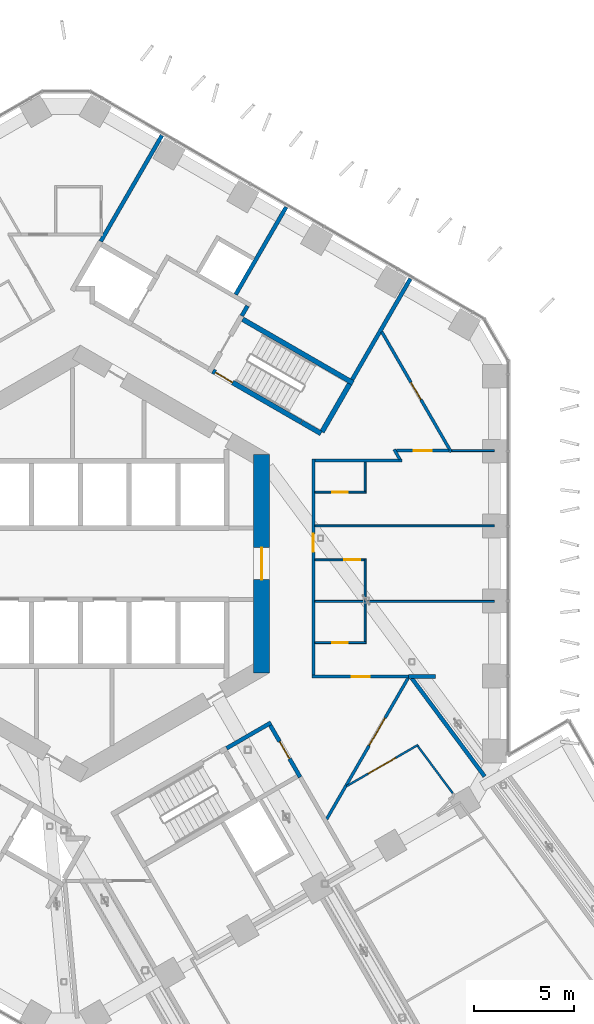
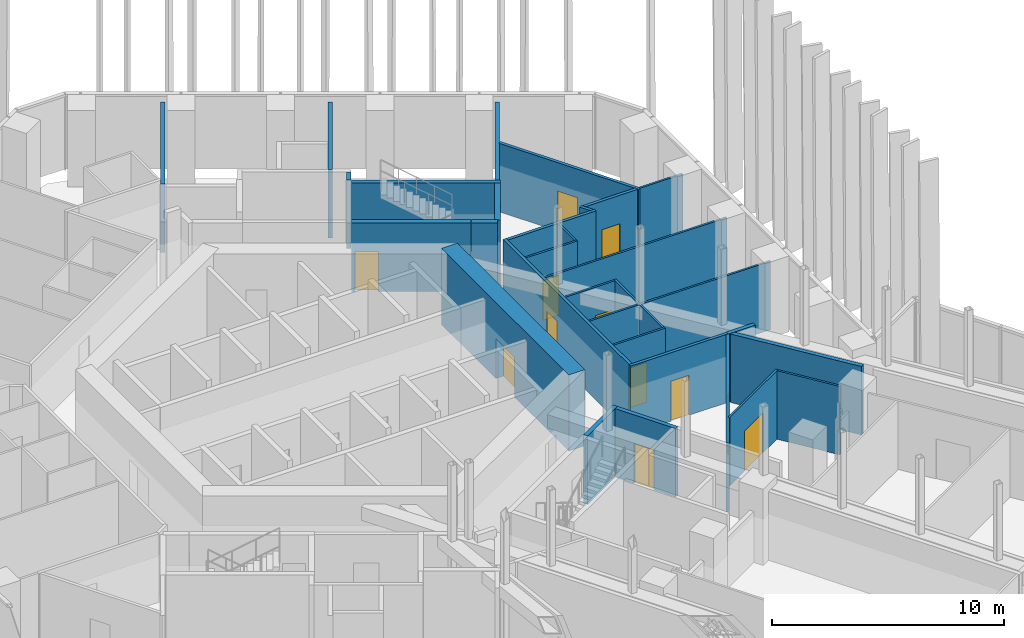
# One storey, part 23 of 29: 30 walls, 12 doors, 12 openings.
"""IFC4 building model written with IfcOpenShell, lengths in metres."""

from ifc_helpers import new_model, si_unit, direction, frame, frame_2d, origin, place, context, subcontext, project, spatial, rectangle, extrude, material, layer, layer_set, type_object, element, fill, save


model = new_model("IFC4")

# Units and contexts
model_context = context("Model", 3, precision=1e-05, world=origin(), true_north=direction((0.0, 1.0)))
body_context = subcontext(model_context, "Body", "Model", "MODEL_VIEW")
ifc_project = project(units=[si_unit("LENGTHUNIT", "METRE"), si_unit("AREAUNIT", "SQUARE_METRE"), si_unit("VOLUMEUNIT", "CUBIC_METRE"), si_unit("PLANEANGLEUNIT", "RADIAN"), si_unit("MASSUNIT", "GRAM", prefix="KILO")], contexts=[model_context])

# Site, building, storey
site_placement = place(None, origin())
site = spatial("IfcSite", under=ifc_project, at=site_placement, CompositionType="ELEMENT")
building_placement = place(site_placement, origin())
building = spatial("IfcBuilding", under=site, at=building_placement, Name="Ayvan Gate Tower", CompositionType="ELEMENT")
storey_placement = place(building_placement, frame((0.0, 0.0, 66.300048828125)))
storey = spatial("IfcBuildingStorey", under=building, at=storey_placement, Name="L17", CompositionType="ELEMENT", Elevation=66.300048828125)

# Wall, opening, door
ifc_material_1 = material(Name="Concrete C70/85", Category="concrete")
ifc_layer_1 = layer(ifc_material_1, 0.800048828125)
ifc_layer_set_1 = layer_set([ifc_layer_1], Name="Concrete C70/85")
wall_type_1 = type_object("IfcWallType", Name="Core wall 800 C70/85", PredefinedType="SHEAR", material=ifc_layer_set_1)
wall_1_placement = place(storey_placement, frame((9.10009765625, -5.48486328125, 0.0), z_axis=(0.0, 0.0, 1.0), x_axis=(0.0, 1.0, 0.0)))
wall_1 = element("IfcWall", 1, at=wall_1_placement, inside=storey, type_object=wall_type_1, Name="CORE-L17-0", PredefinedType="SHEAR", context=body_context, shape_type="SweptSolid", body=[
    extrude(rectangle(XDim=10.9697265625, YDim=0.800048828125, at=frame_2d((5.48486328125, 0.0))), origin(), (0.0, 0.0, 1.0), 4.0),
])
opening_1_placement = place(wall_1_placement, frame((4.684814453125, 0.0, 0.0)))
opening_1 = element("IfcOpeningElement", 2, at=opening_1_placement, cuts=wall_1, Name="Opening L17-D57", PredefinedType="OPENING", context=body_context, shape_type="SweptSolid", body=[
    extrude(rectangle(XDim=1.60009765625, YDim=2.10009765625, at=frame_2d((0.800048828125, 1.050048828125))), frame((0.0, 0.409912109375, 0.0), z_axis=(0.0, -1.0, 0.0), x_axis=(1.0, 0.0, 0.0)), (0.0, 0.0, 1.0), 0.820068359375),
])
ifc_material_2 = material(Name="Timber door leaf", Category="wood")
door_type_1 = type_object("IfcDoorType", Name="DT-1600", OperationType="NOTDEFINED", PredefinedType="DOOR", material=ifc_material_2)
door_1_placement = place(opening_1_placement, origin())
door_1 = element("IfcDoor", 3, at=door_1_placement, inside=storey, type_object=door_type_1, Name="CD-L17-57", OperationType="SINGLE_SWING_RIGHT", OverallHeight=2.10009765625, OverallWidth=1.60009765625, PredefinedType="DOOR", context=body_context, shape_type="SweptSolid", body=[
    extrude(rectangle(XDim=1.60009765625, YDim=2.10009765625, at=frame_2d((0.800048828125, 1.050048828125))), frame((0.0, 0.02490234375, 0.0), z_axis=(0.0, -1.0, 0.0), x_axis=(1.0, 0.0, 0.0)), (0.0, 0.0, 1.0), 0.050048828125),
])
fill(opening_1, door_1)

ifc_material_3 = material(Name="Plasterboard on steel stud", Category="steel")
ifc_layer_2 = layer(ifc_material_3, 0.14990234375)
ifc_layer_set_2 = layer_set([ifc_layer_2], Name="Plasterboard on steel stud")
wall_type_2 = type_object("IfcWallType", Name="WT-CORR-150", PredefinedType="PARTITIONING", material=ifc_layer_set_2)
wall_2_placement = place(storey_placement, frame((11.625, -5.66748046875, 0.0), z_axis=(0.0, 0.0, 1.0), x_axis=(1.0, 0.0, 0.0)))
wall_2 = element("IfcWall", 4, at=wall_2_placement, inside=storey, type_object=wall_type_2, Name="IW-L17-120", PredefinedType="PARTITIONING", context=body_context, shape_type="SweptSolid", body=[
    extrude(rectangle(XDim=4.951904296875, YDim=0.14990234375, at=frame_2d((2.47607421875, 0.0))), origin(), (0.0, 0.0, 1.0), 3.599853515625),
])
opening_2_placement = place(wall_2_placement, frame((2.008544921875, 0.0, 0.0)))
opening_2 = element("IfcOpeningElement", 5, at=opening_2_placement, cuts=wall_2, Name="Opening L17-D17", PredefinedType="OPENING", context=body_context, shape_type="SweptSolid", body=[
    extrude(rectangle(XDim=0.89990234375, YDim=2.10009765625, at=frame_2d((0.449951171875, 1.050048828125))), frame((0.0, 0.0849609375, 0.0), z_axis=(0.0, -1.0, 0.0), x_axis=(1.0, 0.0, 0.0)), (0.0, 0.0, 1.0), 0.169921875),
])
door_type_2 = type_object("IfcDoorType", Name="DT-900", OperationType="NOTDEFINED", PredefinedType="DOOR", material=ifc_material_2)
door_2_placement = place(opening_2_placement, origin())
door_2 = element("IfcDoor", 6, at=door_2_placement, inside=storey, type_object=door_type_2, Name="ID-L17-017", OperationType="SINGLE_SWING_RIGHT", OverallHeight=2.10009765625, OverallWidth=0.89990234375, PredefinedType="DOOR", context=body_context, shape_type="SweptSolid", body=[
    extrude(rectangle(XDim=0.89990234375, YDim=2.10009765625, at=frame_2d((0.449951171875, 1.050048828125))), frame((0.0, 0.02490234375, 0.0), z_axis=(0.0, -1.0, 0.0), x_axis=(1.0, 0.0, 0.0)), (0.0, 0.0, 1.0), 0.050048828125),
])
fill(opening_2, door_2)

wall_3_placement = place(storey_placement, frame((11.699951171875, -5.59228515625, 0.0), z_axis=(0.0, 0.0, 1.0), x_axis=(0.0, 1.0, 0.0)))
wall_3 = element("IfcWall", 7, at=wall_3_placement, inside=storey, type_object=wall_type_2, Name="IW-L17-121", PredefinedType="PARTITIONING", context=body_context, shape_type="SweptSolid", body=[
    extrude(rectangle(XDim=10.834716796875, YDim=0.14990234375, at=frame_2d((5.41748046875, 0.0))), origin(), (0.0, 0.0, 1.0), 3.599853515625),
])
opening_3_placement = place(wall_3_placement, frame((6.181396484375, 0.0, 0.0)))
opening_3 = element("IfcOpeningElement", 8, at=opening_3_placement, cuts=wall_3, Name="Opening L17-D19", PredefinedType="OPENING", context=body_context, shape_type="SweptSolid", body=[
    extrude(rectangle(XDim=0.89990234375, YDim=2.10009765625, at=frame_2d((0.449951171875, 1.050048828125))), frame((0.0, 0.0849609375, 0.0), z_axis=(0.0, -1.0, 0.0), x_axis=(1.0, 0.0, 0.0)), (0.0, 0.0, 1.0), 0.169921875),
])
door_3_placement = place(opening_3_placement, origin())
door_3 = element("IfcDoor", 9, at=door_3_placement, inside=storey, type_object=door_type_2, Name="ID-L17-019", OperationType="SINGLE_SWING_RIGHT", OverallHeight=2.10009765625, OverallWidth=0.89990234375, PredefinedType="DOOR", context=body_context, shape_type="SweptSolid", body=[
    extrude(rectangle(XDim=0.89990234375, YDim=2.10009765625, at=frame_2d((0.449951171875, 1.050048828125))), frame((0.0, 0.02490234375, 0.0), z_axis=(0.0, -1.0, 0.0), x_axis=(1.0, 0.0, 0.0)), (0.0, 0.0, 1.0), 0.050048828125),
])
fill(opening_3, door_3)

wall_4_placement = place(storey_placement, frame((12.36181640625, -12.838134765625, 0.0), z_axis=(0.0, 0.0, 1.0), x_axis=(0.500004918852, 0.866022563865, 0.0)))
wall_4 = element("IfcWall", 10, at=wall_4_placement, inside=storey, type_object=wall_type_2, Name="IW-L17-128", PredefinedType="PARTITIONING", context=body_context, shape_type="SweptSolid", body=[
    extrude(rectangle(XDim=8.205078125, YDim=0.14990234375, at=frame_2d((4.1025390625, 0.0))), origin(), (0.0, 0.0, 1.0), 3.599853515625),
])
opening_4_placement = place(wall_4_placement, frame((4.272705078125, 0.0, 0.0)))
opening_4 = element("IfcOpeningElement", 11, at=opening_4_placement, cuts=wall_4, Name="Opening L17-D46", PredefinedType="OPENING", context=body_context, shape_type="SweptSolid", body=[
    extrude(rectangle(XDim=1.60009765625, YDim=2.10009765625, at=frame_2d((0.800048828125, 1.050048828125))), frame((0.0, 0.0849609375, 0.0), z_axis=(0.0, -1.0, 0.0), x_axis=(1.0, 0.0, 0.0)), (0.0, 0.0, 1.0), 0.169921875),
])
door_4_placement = place(opening_4_placement, origin())
door_4 = element("IfcDoor", 12, at=door_4_placement, inside=storey, type_object=door_type_1, Name="ID-L17-046", OperationType="SINGLE_SWING_LEFT", OverallHeight=2.10009765625, OverallWidth=1.60009765625, PredefinedType="DOOR", context=body_context, shape_type="SweptSolid", body=[
    extrude(rectangle(XDim=1.60009765625, YDim=2.10009765625, at=frame_2d((0.800048828125, 1.050048828125))), frame((0.0, 0.02490234375, 0.0), z_axis=(0.0, -1.0, 0.0), x_axis=(1.0, 0.0, 0.0)), (0.0, 0.0, 1.0), 0.050048828125),
])
fill(opening_4, door_4)

# Wall
wall_5_placement = place(storey_placement, frame((11.77490234375, 5.16748046875, 0.0), z_axis=(0.0, 0.0, 1.0), x_axis=(1.0, 0.0, 0.0)))
element("IfcWall", 13, at=wall_5_placement, inside=storey, type_object=wall_type_2, Name="IW-L17-133", PredefinedType="PARTITIONING", context=body_context, shape_type="SweptSolid", body=[
    extrude(rectangle(XDim=4.382080078125, YDim=0.14990234375, at=frame_2d((2.19091796875, 0.0))), origin(), (0.0, 0.0, 1.0), 3.599853515625),
])

# Wall, opening, door
wall_6_placement = place(storey_placement, frame((15.133056640625, 11.63818359375, 0.0), z_axis=(0.0, 0.0, 1.0), x_axis=(0.500004447669, -0.866022835906, 0.0)))
wall_6 = element("IfcWall", 14, at=wall_6_placement, inside=storey, type_object=wall_type_2, Name="IW-L17-134", PredefinedType="PARTITIONING", context=body_context, shape_type="SweptSolid", body=[
    extrude(rectangle(XDim=6.9697265625, YDim=0.14990234375, at=frame_2d((3.48486328125, 0.0))), origin(), (0.0, 0.0, 1.0), 3.599853515625),
])
opening_5_placement = place(wall_6_placement, frame((2.929931640625, 0.0, 0.0)))
opening_5 = element("IfcOpeningElement", 15, at=opening_5_placement, cuts=wall_6, Name="Opening L17-D23", PredefinedType="OPENING", context=body_context, shape_type="SweptSolid", body=[
    extrude(rectangle(XDim=1.0, YDim=2.10009765625, at=frame_2d((0.5, 1.050048828125))), frame((0.0, 0.0849609375, 0.0), z_axis=(0.0, -1.0, 0.0), x_axis=(1.0, 0.0, 0.0)), (0.0, 0.0, 1.0), 0.169921875),
])
door_type_3 = type_object("IfcDoorType", Name="DT-1000", OperationType="NOTDEFINED", PredefinedType="DOOR", material=ifc_material_2)
door_5_placement = place(opening_5_placement, origin())
door_5 = element("IfcDoor", 16, at=door_5_placement, inside=storey, type_object=door_type_3, Name="ID-L17-023", OperationType="SINGLE_SWING_RIGHT", OverallHeight=2.10009765625, OverallWidth=1.0, PredefinedType="DOOR", context=body_context, shape_type="SweptSolid", body=[
    extrude(rectangle(XDim=1.0, YDim=2.10009765625, at=frame_2d((0.5, 1.050048828125))), frame((0.0, 0.02490234375, 0.0), z_axis=(0.0, -1.0, 0.0), x_axis=(1.0, 0.0, 0.0)), (0.0, 0.0, 1.0), 0.050048828125),
])
fill(opening_5, door_5)

# Wall
wall_7_placement = place(storey_placement, frame((15.755615234375, 5.732421875, 0.0), z_axis=(0.0, 0.0, 1.0), x_axis=(0.500186019832, -0.865917978543, 0.0)))
element("IfcWall", 17, at=wall_7_placement, inside=storey, type_object=wall_type_2, Name="IW-L17-136", PredefinedType="PARTITIONING", context=body_context, shape_type="SweptSolid", body=[
    extrude(rectangle(XDim=0.577392578125, YDim=0.14990234375, at=frame_2d((0.28857421875, 0.0))), origin(), (0.0, 0.0, 1.0), 3.599853515625),
])

# Wall, opening, door
wall_8_placement = place(storey_placement, frame((18.50537109375, 5.66748046875, 0.0), z_axis=(0.0, 0.0, 1.0), x_axis=(-1.0, 0.0, 0.0)))
wall_8 = element("IfcWall", 18, at=wall_8_placement, inside=storey, type_object=wall_type_2, Name="IW-L17-144", PredefinedType="PARTITIONING", context=body_context, shape_type="SweptSolid", body=[
    extrude(rectangle(XDim=2.63720703125, YDim=0.14990234375, at=frame_2d((1.318603515625, 0.0))), origin(), (0.0, 0.0, 1.0), 3.599853515625),
])
opening_6_placement = place(wall_8_placement, frame((0.86865234375, 0.0, 0.0)))
opening_6 = element("IfcOpeningElement", 19, at=opening_6_placement, cuts=wall_8, Name="Opening L17-D21", PredefinedType="OPENING", context=body_context, shape_type="SweptSolid", body=[
    extrude(rectangle(XDim=0.89990234375, YDim=2.10009765625, at=frame_2d((0.449951171875, 1.050048828125))), frame((0.0, 0.0849609375, 0.0), z_axis=(0.0, -1.0, 0.0), x_axis=(1.0, 0.0, 0.0)), (0.0, 0.0, 1.0), 0.169921875),
])
door_6_placement = place(opening_6_placement, origin())
door_6 = element("IfcDoor", 20, at=door_6_placement, inside=storey, type_object=door_type_2, Name="ID-L17-021", OperationType="SINGLE_SWING_RIGHT", OverallHeight=2.10009765625, OverallWidth=0.89990234375, PredefinedType="DOOR", context=body_context, shape_type="SweptSolid", body=[
    extrude(rectangle(XDim=0.89990234375, YDim=2.10009765625, at=frame_2d((0.449951171875, 1.050048828125))), frame((0.0, 0.02490234375, 0.0), z_axis=(0.0, -1.0, 0.0), x_axis=(1.0, 0.0, 0.0)), (0.0, 0.0, 1.0), 0.050048828125),
])
fill(opening_6, door_6)

ifc_layer_3 = layer(ifc_material_3, 0.10009765625)
ifc_layer_set_3 = layer_set([ifc_layer_3], Name="Plasterboard on steel stud")
wall_type_3 = type_object("IfcWallType", Name="WT-PART-100", PredefinedType="PARTITIONING", material=ifc_layer_set_3)
wall_9_placement = place(storey_placement, frame((11.77490234375, -3.96728515625, 0.0), z_axis=(0.0, 0.0, 1.0), x_axis=(1.0, 0.0, 0.0)))
wall_9 = element("IfcWall", 21, at=wall_9_placement, inside=storey, type_object=wall_type_3, Name="IW-L17-122", PredefinedType="PARTITIONING", context=body_context, shape_type="SweptSolid", body=[
    extrude(rectangle(XDim=2.5751953125, YDim=0.10009765625, at=frame_2d((1.28759765625, 0.0))), origin(), (0.0, 0.0, 1.0), 3.599853515625),
])
opening_7_placement = place(wall_9_placement, frame((0.862548828125, 0.0, 0.0)))
opening_7 = element("IfcOpeningElement", 22, at=opening_7_placement, cuts=wall_9, Name="Opening L17-D18", PredefinedType="OPENING", context=body_context, shape_type="SweptSolid", body=[
    extrude(rectangle(XDim=0.800048828125, YDim=2.10009765625, at=frame_2d((0.39990234375, 1.050048828125))), frame((0.0, 0.06005859375, 0.0), z_axis=(0.0, -1.0, 0.0), x_axis=(1.0, 0.0, 0.0)), (0.0, 0.0, 1.0), 0.1201171875),
])
door_type_4 = type_object("IfcDoorType", Name="DT-800", OperationType="NOTDEFINED", PredefinedType="DOOR", material=ifc_material_2)
door_7_placement = place(opening_7_placement, origin())
door_7 = element("IfcDoor", 23, at=door_7_placement, inside=storey, type_object=door_type_4, Name="ID-L17-018", OperationType="SINGLE_SWING_LEFT", OverallHeight=2.10009765625, OverallWidth=0.800048828125, PredefinedType="DOOR", context=body_context, shape_type="SweptSolid", body=[
    extrude(rectangle(XDim=0.800048828125, YDim=2.10009765625, at=frame_2d((0.39990234375, 1.050048828125))), frame((0.0, 0.02490234375, 0.0), z_axis=(0.0, -1.0, 0.0), x_axis=(1.0, 0.0, 0.0)), (0.0, 0.0, 1.0), 0.050048828125),
])
fill(opening_7, door_7)

# Walls
for number, where, z_axis, x_axis, name in (
    (24, (11.77490234375, -1.88916015625, 0.0), (0.0, 0.0, 1.0), (1.0, 0.0, 0.0), "IW-L17-123"),
    (25, (11.77490234375, 1.88916015625, 0.0), (0.0, 0.0, 1.0), (1.0, 0.0, 0.0), "IW-L17-124"),
):
    element("IfcWall", number, at=place(storey_placement, frame(where, z_axis=z_axis, x_axis=x_axis)), inside=storey, type_object=wall_type_3, Name=name, PredefinedType="PARTITIONING", context=body_context, shape_type="SweptSolid", body=[
        extrude(rectangle(XDim=9.009765625, YDim=0.10009765625, at=frame_2d((4.5048828125, 0.0))), origin(), (0.0, 0.0, 1.0), 3.599853515625),
    ])

# Wall, opening, door
wall_10_placement = place(storey_placement, frame((11.77490234375, 3.589111328125, 0.0), z_axis=(0.0, 0.0, 1.0), x_axis=(1.0, 0.0, 0.0)))
wall_10 = element("IfcWall", 26, at=wall_10_placement, inside=storey, type_object=wall_type_3, Name="IW-L17-125", PredefinedType="PARTITIONING", context=body_context, shape_type="SweptSolid", body=[
    extrude(rectangle(XDim=2.5751953125, YDim=0.10009765625, at=frame_2d((1.28759765625, 0.0))), origin(), (0.0, 0.0, 1.0), 3.599853515625),
])
opening_8_placement = place(wall_10_placement, frame((0.862548828125, 0.0, 0.0)))
opening_8 = element("IfcOpeningElement", 27, at=opening_8_placement, cuts=wall_10, Name="Opening L17-D22", PredefinedType="OPENING", context=body_context, shape_type="SweptSolid", body=[
    extrude(rectangle(XDim=0.800048828125, YDim=2.10009765625, at=frame_2d((0.39990234375, 1.050048828125))), frame((0.0, 0.06005859375, 0.0), z_axis=(0.0, -1.0, 0.0), x_axis=(1.0, 0.0, 0.0)), (0.0, 0.0, 1.0), 0.1201171875),
])
door_8_placement = place(opening_8_placement, origin())
door_8 = element("IfcDoor", 28, at=door_8_placement, inside=storey, type_object=door_type_4, Name="ID-L17-022", OperationType="SINGLE_SWING_LEFT", OverallHeight=2.10009765625, OverallWidth=0.800048828125, PredefinedType="DOOR", context=body_context, shape_type="SweptSolid", body=[
    extrude(rectangle(XDim=0.800048828125, YDim=2.10009765625, at=frame_2d((0.39990234375, 1.050048828125))), frame((0.0, 0.02490234375, 0.0), z_axis=(0.0, -1.0, 0.0), x_axis=(1.0, 0.0, 0.0)), (0.0, 0.0, 1.0), 0.050048828125),
])
fill(opening_8, door_8)

# Wall
wall_11_placement = place(storey_placement, frame((14.300048828125, -3.91748046875, 0.0), z_axis=(0.0, 0.0, 1.0), x_axis=(0.0, 1.0, 0.0)))
element("IfcWall", 29, at=wall_11_placement, inside=storey, type_object=wall_type_3, Name="IW-L17-130", PredefinedType="PARTITIONING", context=body_context, shape_type="SweptSolid", body=[
    extrude(rectangle(XDim=4.156494140625, YDim=0.10009765625, at=frame_2d((2.078125, 0.0))), origin(), (0.0, 0.0, 1.0), 3.599853515625),
])

# Wall, opening, door
wall_12_placement = place(storey_placement, frame((14.25, 0.189208984375, 0.0), z_axis=(0.0, 0.0, 1.0), x_axis=(-1.0, 0.0, 0.0)))
wall_12 = element("IfcWall", 30, at=wall_12_placement, inside=storey, type_object=wall_type_3, Name="IW-L17-131", PredefinedType="PARTITIONING", context=body_context, shape_type="SweptSolid", body=[
    extrude(rectangle(XDim=2.47509765625, YDim=0.10009765625, at=frame_2d((1.237548828125, 0.0))), origin(), (0.0, 0.0, 1.0), 3.599853515625),
])
opening_9_placement = place(wall_12_placement, frame((0.1875, 0.0, 0.0)))
opening_9 = element("IfcOpeningElement", 31, at=opening_9_placement, cuts=wall_12, Name="Opening L17-D20", PredefinedType="OPENING", context=body_context, shape_type="SweptSolid", body=[
    extrude(rectangle(XDim=0.800048828125, YDim=2.10009765625, at=frame_2d((0.39990234375, 1.050048828125))), frame((0.0, 0.06005859375, 0.0), z_axis=(0.0, -1.0, 0.0), x_axis=(1.0, 0.0, 0.0)), (0.0, 0.0, 1.0), 0.1201171875),
])
door_9_placement = place(opening_9_placement, origin())
door_9 = element("IfcDoor", 32, at=door_9_placement, inside=storey, type_object=door_type_4, Name="ID-L17-020", OperationType="SINGLE_SWING_LEFT", OverallHeight=2.10009765625, OverallWidth=0.800048828125, PredefinedType="DOOR", context=body_context, shape_type="SweptSolid", body=[
    extrude(rectangle(XDim=0.800048828125, YDim=2.10009765625, at=frame_2d((0.39990234375, 1.050048828125))), frame((0.0, 0.02490234375, 0.0), z_axis=(0.0, -1.0, 0.0), x_axis=(1.0, 0.0, 0.0)), (0.0, 0.0, 1.0), 0.050048828125),
])
fill(opening_9, door_9)

# Wall
wall_13_placement = place(storey_placement, frame((14.300048828125, 3.63916015625, 0.0), z_axis=(0.0, 0.0, 1.0), x_axis=(0.0, 1.0, 0.0)))
element("IfcWall", 33, at=wall_13_placement, inside=storey, type_object=wall_type_3, Name="IW-L17-132", PredefinedType="PARTITIONING", context=body_context, shape_type="SweptSolid", body=[
    extrude(rectangle(XDim=1.453125, YDim=0.10009765625, at=frame_2d((0.7265625, 0.0))), origin(), (0.0, 0.0, 1.0), 3.599853515625),
])

# Wall, opening, door
wall_14_placement = place(storey_placement, frame((16.95751953125, -9.099365234375, 0.0), z_axis=(0.0, 0.0, 1.0), x_axis=(-0.866042429026, -0.499970510257, 0.0)))
wall_14 = element("IfcWall", 34, at=wall_14_placement, inside=storey, type_object=wall_type_3, Name="IW-L17-138", PredefinedType="PARTITIONING", context=body_context, shape_type="SweptSolid", body=[
    extrude(rectangle(XDim=4.146240234375, YDim=0.10009765625, at=frame_2d((2.0732421875, 0.0))), origin(), (0.0, 0.0, 1.0), 3.599853515625),
])
opening_10_placement = place(wall_14_placement, frame((1.298095703125, 0.0, 0.0)))
opening_10 = element("IfcOpeningElement", 35, at=opening_10_placement, cuts=wall_14, Name="Opening L17-D47", PredefinedType="OPENING", context=body_context, shape_type="SweptSolid", body=[
    extrude(rectangle(XDim=1.60009765625, YDim=2.10009765625, at=frame_2d((0.800048828125, 1.050048828125))), frame((0.0, 0.06005859375, 0.0), z_axis=(0.0, -1.0, 0.0), x_axis=(1.0, 0.0, 0.0)), (0.0, 0.0, 1.0), 0.1201171875),
])
door_10_placement = place(opening_10_placement, origin())
door_10 = element("IfcDoor", 36, at=door_10_placement, inside=storey, type_object=door_type_1, Name="ID-L17-047", OperationType="SINGLE_SWING_RIGHT", OverallHeight=2.10009765625, OverallWidth=1.60009765625, PredefinedType="DOOR", context=body_context, shape_type="SweptSolid", body=[
    extrude(rectangle(XDim=1.60009765625, YDim=2.10009765625, at=frame_2d((0.800048828125, 1.050048828125))), frame((0.0, 0.02490234375, 0.0), z_axis=(0.0, -1.0, 0.0), x_axis=(1.0, 0.0, 0.0)), (0.0, 0.0, 1.0), 0.050048828125),
])
fill(opening_10, door_10)

# Walls
wall_15_placement = place(storey_placement, frame((18.6552734375, 5.66748046875, 0.0), z_axis=(0.0, 0.0, 1.0), x_axis=(1.0, 0.0, 0.0)))
element("IfcWall", 37, at=wall_15_placement, inside=storey, type_object=wall_type_3, Name="IW-L17-143", PredefinedType="PARTITIONING", context=body_context, shape_type="SweptSolid", body=[
    extrude(rectangle(XDim=2.12939453125, YDim=0.10009765625, at=frame_2d((1.064697265625, 0.0))), origin(), (0.0, 0.0, 1.0), 3.599853515625),
])
wall_16_placement = place(storey_placement, frame((18.708740234375, -11.5439453125, 0.0), z_axis=(0.0, 0.0, 1.0), x_axis=(-0.595692593252, 0.803212508832, 0.0)))
element("IfcWall", 38, at=wall_16_placement, inside=storey, type_object=wall_type_3, Name="IW-L17-146", PredefinedType="PARTITIONING", context=body_context, shape_type="SweptSolid", body=[
    extrude(rectangle(XDim=2.96240234375, YDim=0.10009765625, at=frame_2d((1.481201171875, 0.0))), origin(), (0.0, 0.0, 1.0), 3.599853515625),
])
ifc_layer_4 = layer(ifc_material_3, 0.199951171875)
ifc_layer_set_4 = layer_set([ifc_layer_4], Name="Plasterboard on steel stud")
wall_type_4 = type_object("IfcWallType", Name="WT-PLUMB-200", PredefinedType="PLUMBINGWALL", material=ifc_layer_set_4)
wall_17_placement = place(storey_placement, frame((1.027099609375, 16.178955078125, 0.0), z_axis=(0.0, 0.0, 1.0), x_axis=(0.499994205574, 0.866028749172, 0.0)))
element("IfcWall", 39, at=wall_17_placement, inside=storey, type_object=wall_type_4, Name="IW-L17-074", PredefinedType="PLUMBINGWALL", context=body_context, shape_type="SweptSolid", body=[
    extrude(rectangle(XDim=6.1435546875, YDim=0.199951171875, at=frame_2d((3.07177734375, 0.0))), origin(), (0.0, 0.0, 1.0), 3.599853515625),
])
wall_18_placement = place(storey_placement, frame((7.800048828125, 13.510009765625, 0.0), z_axis=(0.0, 0.0, 1.0), x_axis=(0.499993479487, 0.866029168372, 0.0)))
element("IfcWall", 40, at=wall_18_placement, inside=storey, type_object=wall_type_4, Name="IW-L17-107", PredefinedType="PLUMBINGWALL", context=body_context, shape_type="SweptSolid", body=[
    extrude(rectangle(XDim=5.068359375, YDim=0.199951171875, at=frame_2d((2.5341796875, 0.0))), origin(), (0.0, 0.0, 1.0), 3.599853515625),
])
wall_19_placement = place(storey_placement, frame((8.392822265625, 12.936767578125, 0.0), z_axis=(0.0, 0.0, 1.0), x_axis=(-0.500065409566, -0.86598763626, 0.0)))
element("IfcWall", 41, at=wall_19_placement, inside=storey, type_object=wall_type_4, Name="IW-L17-110", PredefinedType="PLUMBINGWALL", context=body_context, shape_type="SweptSolid", body=[
    extrude(rectangle(XDim=0.5751953125, YDim=0.199951171875, at=frame_2d((0.28759765625, 0.0))), origin(), (0.0, 0.0, 1.0), 3.599853515625),
])
wall_20_placement = place(storey_placement, frame((13.64794921875, 9.23876953125, 0.0), z_axis=(0.0, 0.0, 1.0), x_axis=(0.499990086032, 0.866031127541, 0.0)))
element("IfcWall", 42, at=wall_20_placement, inside=storey, type_object=wall_type_4, Name="IW-L17-135", PredefinedType="PLUMBINGWALL", context=body_context, shape_type="SweptSolid", body=[
    extrude(rectangle(XDim=5.84326171875, YDim=0.199951171875, at=frame_2d((2.921630859375, 0.0))), origin(), (0.0, 0.0, 1.0), 3.599853515625),
])
wall_21_placement = place(storey_placement, frame((17.82177734375, -5.66748046875, 0.0), z_axis=(0.0, 0.0, 1.0), x_axis=(-1.0, 0.0, 0.0)))
element("IfcWall", 43, at=wall_21_placement, inside=storey, type_object=wall_type_4, Name="IW-L17-139", PredefinedType="PLUMBINGWALL", context=body_context, shape_type="SweptSolid", body=[
    extrude(rectangle(XDim=1.345458984375, YDim=0.199951171875, at=frame_2d((0.6728515625, 0.0))), origin(), (0.0, 0.0, 1.0), 3.599853515625),
])
wall_22_placement = place(storey_placement, frame((20.29736328125, -10.68408203125, 0.0), z_axis=(0.0, 0.0, 1.0), x_axis=(-0.595739477662, 0.80317773547, 0.0)))
element("IfcWall", 44, at=wall_22_placement, inside=storey, type_object=wall_type_4, Name="IW-L17-150", PredefinedType="PLUMBINGWALL", context=body_context, shape_type="SweptSolid", body=[
    extrude(rectangle(XDim=6.14599609375, YDim=0.199951171875, at=frame_2d((3.072998046875, 0.0))), origin(), (0.0, 0.0, 1.0), 3.599853515625),
])
ifc_layer_5 = layer(ifc_material_3, 0.199951171875)
ifc_layer_set_5 = layer_set([ifc_layer_5], Name="Plasterboard on steel stud")
wall_type_5 = type_object("IfcWallType", Name="WT-RATED-200", PredefinedType="PARTITIONING", material=ifc_layer_set_5)
wall_23_placement = place(storey_placement, frame((7.343994140625, -9.27001953125, 0.0), z_axis=(0.0, 0.0, 1.0), x_axis=(0.866005588531, 0.500034319456, 0.0)))
element("IfcWall", 45, at=wall_23_placement, inside=storey, type_object=wall_type_5, Name="IW-L17-103", PredefinedType="PARTITIONING", context=body_context, shape_type="SweptSolid", body=[
    extrude(rectangle(XDim=2.574951171875, YDim=0.199951171875, at=frame_2d((1.28759765625, 0.0))), origin(), (0.0, 0.0, 1.0), 3.599853515625),
])

# Wall, opening, door
wall_24_placement = place(storey_placement, frame((9.537353515625, -8.119140625, 0.0), z_axis=(0.0, 0.0, 1.0), x_axis=(0.499990139034, -0.866031096941, 0.0)))
wall_24 = element("IfcWall", 46, at=wall_24_placement, inside=storey, type_object=wall_type_5, Name="IW-L17-112", PredefinedType="PARTITIONING", context=body_context, shape_type="SweptSolid", body=[
    extrude(rectangle(XDim=3.0, YDim=0.199951171875, at=frame_2d((1.5, 0.0))), origin(), (0.0, 0.0, 1.0), 3.599853515625),
])
opening_11_placement = place(wall_24_placement, frame((0.93505859375, 0.0, 0.0)))
opening_11 = element("IfcOpeningElement", 47, at=opening_11_placement, cuts=wall_24, Name="Opening L17-D15", PredefinedType="OPENING", context=body_context, shape_type="SweptSolid", body=[
    extrude(rectangle(XDim=1.0, YDim=2.10009765625, at=frame_2d((0.5, 1.050048828125))), frame((0.0, 0.10986328125, 0.0), z_axis=(0.0, -1.0, 0.0), x_axis=(1.0, 0.0, 0.0)), (0.0, 0.0, 1.0), 0.219970703125),
])
door_11_placement = place(opening_11_placement, origin())
door_11 = element("IfcDoor", 48, at=door_11_placement, inside=storey, type_object=door_type_3, Name="ID-L17-015", OperationType="SINGLE_SWING_RIGHT", OverallHeight=2.10009765625, OverallWidth=1.0, PredefinedType="DOOR", context=body_context, shape_type="SweptSolid", body=[
    extrude(rectangle(XDim=1.0, YDim=2.10009765625, at=frame_2d((0.5, 1.050048828125))), frame((0.0, 0.02490234375, 0.0), z_axis=(0.0, -1.0, 0.0), x_axis=(1.0, 0.0, 0.0)), (0.0, 0.0, 1.0), 0.050048828125),
])
fill(opening_11, door_11)

# Wall
ifc_material_4 = material(Name="Concrete C50/60", Category="concrete")
ifc_layer_6 = layer(ifc_material_4, 0.25)
ifc_layer_set_6 = layer_set([ifc_layer_6], Name="Concrete C50/60")
wall_type_6 = type_object("IfcWallType", Name="WT-RC-250", PredefinedType="SHEAR", material=ifc_layer_set_6)
wall_25_placement = place(storey_placement, frame((8.151123046875, 12.26806640625, 0.0), z_axis=(0.0, 0.0, 1.0), x_axis=(0.866025499775, -0.499999833739, 0.0)))
element("IfcWall", 49, at=wall_25_placement, inside=storey, type_object=wall_type_6, Name="IW-L17-108", PredefinedType="SHEAR", context=body_context, shape_type="SweptSolid", body=[
    extrude(rectangle(XDim=6.39990234375, YDim=0.25, at=frame_2d((3.199951171875, 0.0))), origin(), (0.0, 0.0, 1.0), 3.599853515625),
])

# Wall, opening, door
wall_26_placement = place(storey_placement, frame((11.10009765625, 7.101318359375, 0.0), z_axis=(0.0, 0.0, 1.0), x_axis=(-0.8660265141, 0.499998076872, 0.0)))
wall_26 = element("IfcWall", 50, at=wall_26_placement, inside=storey, type_object=wall_type_6, Name="IW-L17-119", PredefinedType="SHEAR", context=body_context, shape_type="SweptSolid", body=[
    extrude(rectangle(XDim=5.13720703125, YDim=0.25, at=frame_2d((2.568603515625, 0.0))), origin(), (0.0, 0.0, 1.0), 3.599853515625),
])
opening_12_placement = place(wall_26_placement, frame((3.9873046875, 0.0, 0.0)))
opening_12 = element("IfcOpeningElement", 51, at=opening_12_placement, cuts=wall_26, Name="Opening L17-D06", PredefinedType="OPENING", context=body_context, shape_type="SweptSolid", body=[
    extrude(rectangle(XDim=1.0, YDim=2.10009765625, at=frame_2d((0.5, 1.050048828125))), frame((0.0, 0.135009765625, 0.0), z_axis=(0.0, -1.0, 0.0), x_axis=(1.0, 0.0, 0.0)), (0.0, 0.0, 1.0), 0.27001953125),
])
door_12_placement = place(opening_12_placement, origin())
door_12 = element("IfcDoor", 52, at=door_12_placement, inside=storey, type_object=door_type_3, Name="ID-L17-006", OperationType="SINGLE_SWING_LEFT", OverallHeight=2.10009765625, OverallWidth=1.0, PredefinedType="DOOR", context=body_context, shape_type="SweptSolid", body=[
    extrude(rectangle(XDim=1.0, YDim=2.10009765625, at=frame_2d((0.5, 1.050048828125))), frame((0.0, 0.02490234375, 0.0), z_axis=(0.0, -1.0, 0.0), x_axis=(1.0, 0.0, 0.0)), (0.0, 0.0, 1.0), 0.050048828125),
])
fill(opening_12, door_12)

# Walls
wall_27_placement = place(storey_placement, frame((12.08544921875, 6.532470703125, 0.0), z_axis=(0.0, 0.0, 1.0), x_axis=(-0.86604373436, 0.499968249168, 0.0)))
element("IfcWall", 53, at=wall_27_placement, inside=storey, type_object=wall_type_6, Name="IW-L17-126", PredefinedType="SHEAR", context=body_context, shape_type="SweptSolid", body=[
    extrude(rectangle(XDim=1.11767578125, YDim=0.25, at=frame_2d((0.558837890625, 0.0))), origin(), (0.0, 0.0, 1.0), 3.599853515625),
])
wall_28_placement = place(storey_placement, frame((13.52294921875, 9.022216796875, 0.0), z_axis=(0.0, 0.0, 1.0), x_axis=(-0.500013277472, -0.866017737897, 0.0)))
element("IfcWall", 54, at=wall_28_placement, inside=storey, type_object=wall_type_6, Name="IW-L17-129", PredefinedType="SHEAR", context=body_context, shape_type="SweptSolid", body=[
    extrude(rectangle(XDim=2.78564453125, YDim=0.25, at=frame_2d((1.392822265625, 0.0))), origin(), (0.0, 0.0, 1.0), 3.599853515625),
])

save(model, "model.ifc")
